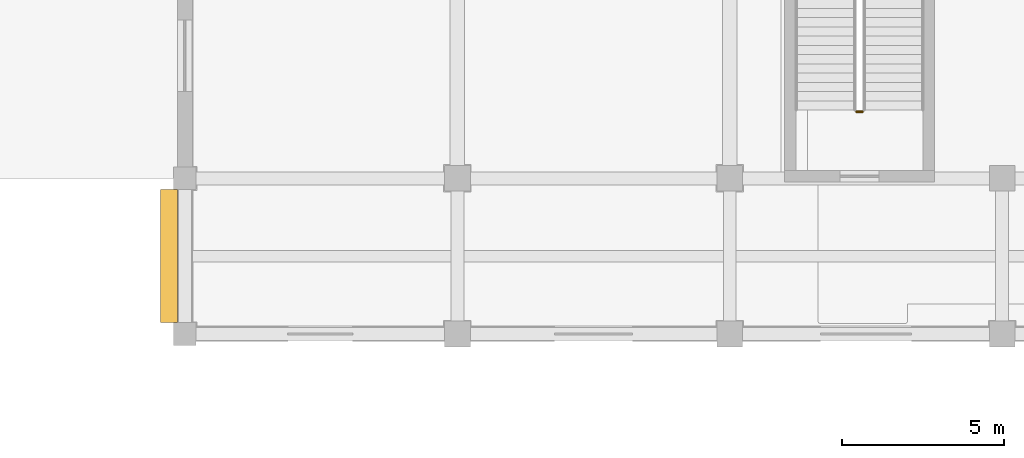
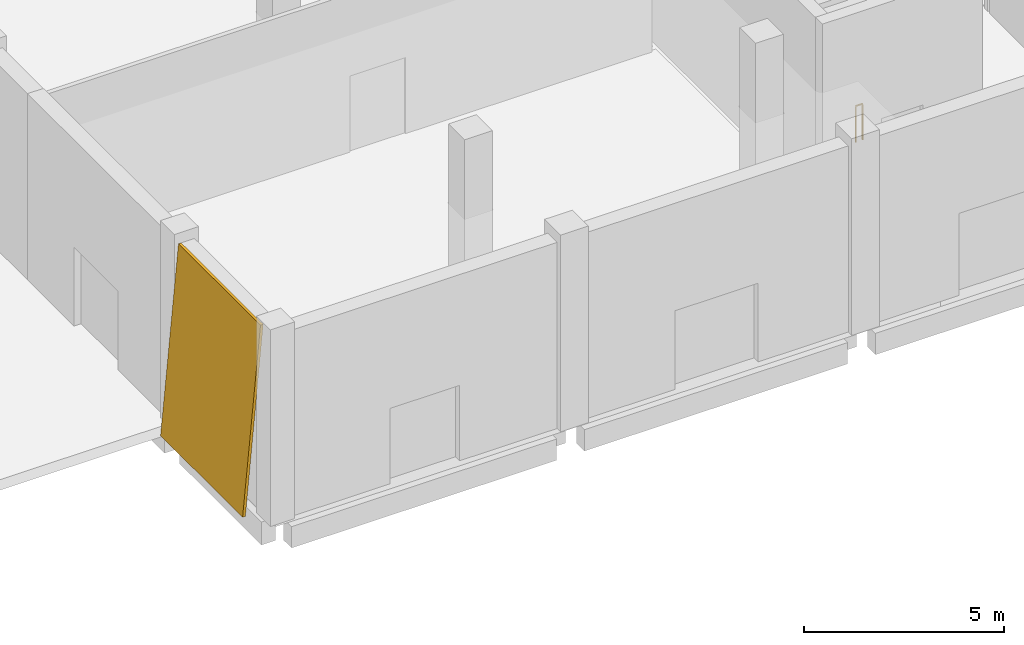
# One storey, part 80 of 84: 1 covering, 1 railing.
"""IFC4 building model written with IfcOpenShell, lengths in metres."""

from ifc_helpers import new_model, si_unit, direction, frame, origin, origin_2d, place, context, subcontext, project, spatial, polyline, circle, outline, extrude, material, layer, layer_set, type_object, element, save


model = new_model("IFC4")

# Units and contexts
model_context = context("Model", 3, precision=1e-05, world=origin(), true_north=direction((0.0, 1.0)))
body_context = subcontext(model_context, "Body", "Model", "MODEL_VIEW")
ifc_project = project(units=[si_unit("LENGTHUNIT", "METRE"), si_unit("AREAUNIT", "SQUARE_METRE"), si_unit("VOLUMEUNIT", "CUBIC_METRE"), si_unit("PLANEANGLEUNIT", "RADIAN"), si_unit("MASSUNIT", "GRAM", prefix="KILO")], contexts=[model_context])

# Site, building, storey
site_placement = place(None, origin())
site = spatial("IfcSite", under=ifc_project, at=site_placement, CompositionType="ELEMENT")
building_placement = place(site_placement, origin())
building = spatial("IfcBuilding", under=site, at=building_placement, Name="Shalvenor Court Art Gallery", CompositionType="ELEMENT")
storey_placement = place(building_placement, origin())
storey = spatial("IfcBuildingStorey", under=building, at=storey_placement, Name="L00", CompositionType="ELEMENT", Elevation=0.0)

# Covering
ifc_material_1 = material(Name="Pale Mediterranean limestone cladding", Category="masonry")
ifc_layer = layer(ifc_material_1, 0.080078125, Name="Pale Mediterranean limestone cladding")
ifc_layer_set = layer_set([ifc_layer], Name="Pale Mediterranean limestone cladding")
covering_type = type_object("IfcCoveringType", Name="CLD-01", PredefinedType="CLADDING", material=ifc_layer_set)
covering_placement = place(storey_placement, frame((133.653076171875, 50.050048828125, 0.0), z_axis=(0.0, 0.0, 1.0), x_axis=(0.0, -1.0, 0.0)))
element("IfcCovering", 1, at=covering_placement, inside=storey, type_object=covering_type, Name="L00 V1 Tapered Limestone Cladding 3", PredefinedType="CLADDING", context=body_context, shape_type="SweptSolid", body=[
    extrude(outline(polyline([(0.0, 0.0), (4.10009765625, 0.0), (4.10009765625, 5.703369140625), (0.0, 5.703369140625), (0.0, 0.0)])), frame((0.0, 0.0, 0.0), z_axis=(0.0, -0.995884398616, 0.090632580198), x_axis=(1.0, 0.0, 0.0)), (0.0, 0.090632580198, -0.995884398616), 0.080322265625),
])

# Railing
ifc_material_2 = material(Name="Painted steel post-and-rail guard", Category="steel")
railing_type = type_object("IfcRailingType", Name="GR-02", PredefinedType="GUARDRAIL", material=ifc_material_2)
railing_placement = place(storey_placement, frame((155.300048828125, 52.449951171875, 0.0)))
element("IfcRailing", 2, at=railing_placement, inside=storey, type_object=railing_type, Name="L00 ST-03 Stair Guard 4", PredefinedType="GUARDRAIL", context=body_context, shape_type="SweptSolid", body=[
    extrude(circle(Radius=0.02392578125, at=origin_2d()), frame((0.0, 0.0, 1.09619140625), z_axis=(-1.0, 0.0, 0.0), x_axis=(0.0, -1.0, 0.0)), (0.0, 0.0, 1.0), 0.199951171875),
    extrude(circle(Radius=0.02099609375, at=origin_2d()), origin(), (0.0, 0.0, 1.0), 1.072021484375),
    extrude(circle(Radius=0.02099609375, at=origin_2d()), frame((-0.199951171875, 0.0, 0.0)), (0.0, 0.0, 1.0), 1.072021484375),
])

save(model, "model.ifc")
